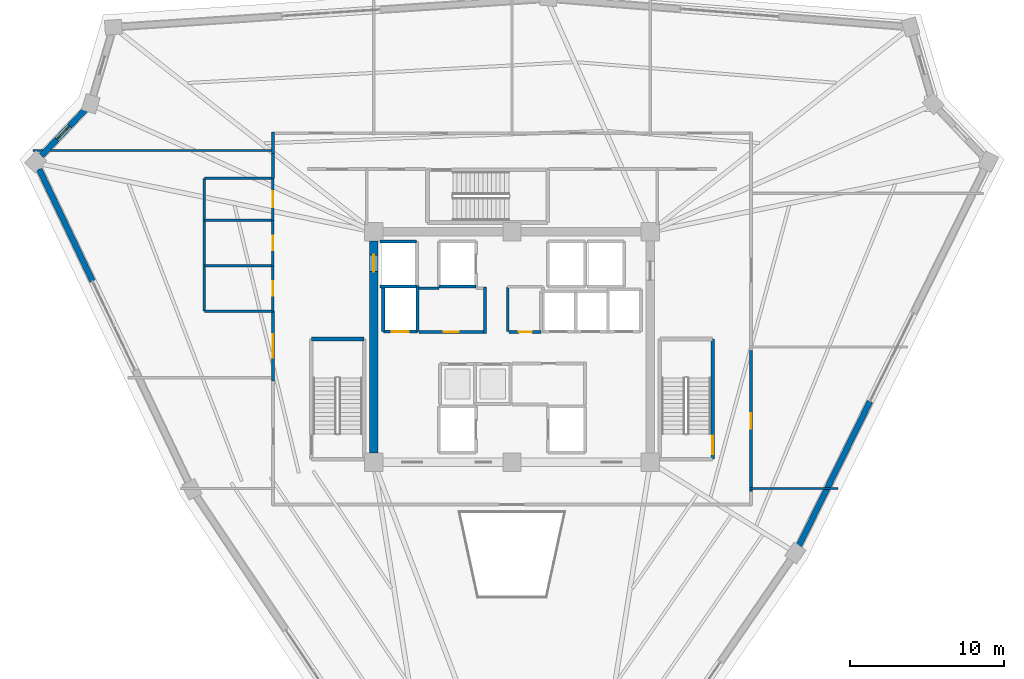
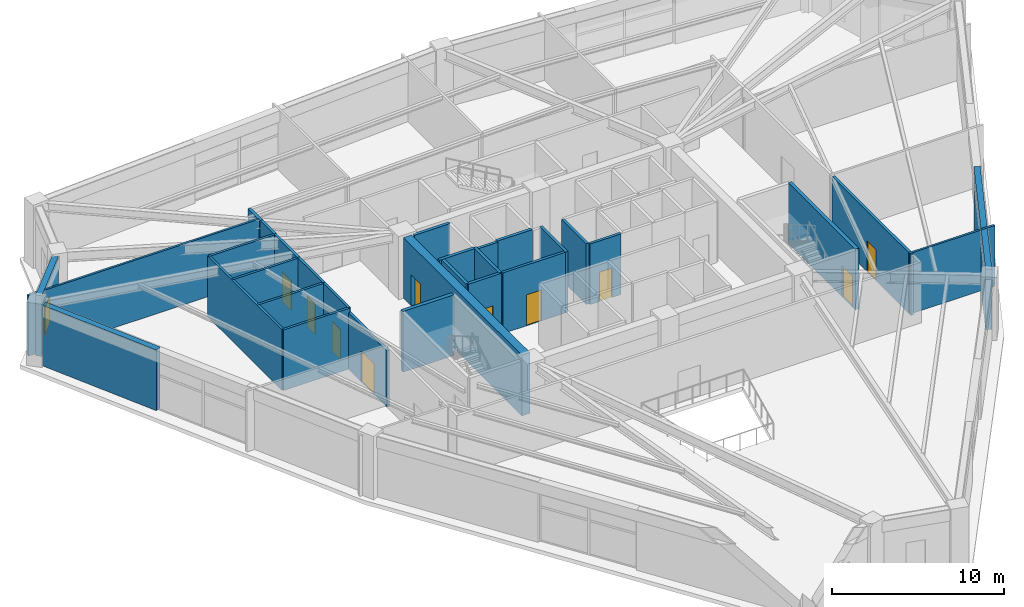
# One storey, part 29 of 35: 31 walls, 10 doors, 1 window, 11 openings.
"""IFC4 building model written with IfcOpenShell, lengths in metres."""

from ifc_helpers import new_model, si_unit, direction, frame, frame_2d, origin, place, context, subcontext, project, spatial, rectangle, extrude, source, transform, mapped, material, layer, layer_set, type_object, element, fill, save


model = new_model("IFC4")

# Units and contexts
model_context = context("Model", 3, precision=1e-05, world=origin(), true_north=direction((0.0, 1.0)))
body_context = subcontext(model_context, "Body", "Model", "MODEL_VIEW")
ifc_project = project(units=[si_unit("LENGTHUNIT", "METRE"), si_unit("AREAUNIT", "SQUARE_METRE"), si_unit("VOLUMEUNIT", "CUBIC_METRE"), si_unit("PLANEANGLEUNIT", "RADIAN"), si_unit("MASSUNIT", "GRAM", prefix="KILO")], contexts=[model_context])

# Site, building, storey
site_placement = place(None, origin())
site = spatial("IfcSite", under=ifc_project, at=site_placement, CompositionType="ELEMENT")
building_placement = place(site_placement, origin())
building = spatial("IfcBuilding", under=site, at=building_placement, Name="Liaohun Quay Tower", CompositionType="ELEMENT")
storey_placement = place(building_placement, frame((0.0, 0.0, 282.0)))
storey = spatial("IfcBuildingStorey", under=building, at=storey_placement, Name="L73", CompositionType="ELEMENT", Elevation=282.0)

# Wall, opening, door
ifc_material_1 = material(Name="Concrete C50", Category="concrete")
ifc_layer_1 = layer(ifc_material_1, 0.550048828125, Name="Concrete C50", Category="concrete")
ifc_layer_set_1 = layer_set([ifc_layer_1], Name="Concrete C50")
wall_type_1 = type_object("IfcWallType", Name="WAL-COR-Z4", PredefinedType="SHEAR", material=ifc_layer_set_1)
wall_1_placement = place(storey_placement, frame((51.0, 47.10009765625, 0.0), z_axis=(0.0, 0.0, 1.0), x_axis=(0.0, 1.0, 0.0)))
wall_1 = element("IfcWall", 1, at=wall_1_placement, inside=storey, type_object=wall_type_1, Name="L73 Central Core Shear Wall W", PredefinedType="SHEAR", context=body_context, shape_type="SweptSolid", body=[
    extrude(rectangle(XDim=13.7998046875, YDim=0.550048828125, at=frame_2d((6.89990234375, 0.0))), origin(), (0.0, 0.0, 1.0), 4.320068359375),
])
shared_shape_1 = source(origin(), body_context, "Body", "SweptSolid", [
    extrude(rectangle(XDim=1.10009765625, YDim=2.199951171875, at=frame_2d((0.550048828125, 1.10009765625))), frame((0.0, 0.284912109375, 0.0), z_axis=(0.0, -1.0, 0.0), x_axis=(1.0, 0.0, 0.0)), (0.0, 0.0, 1.0), 0.570068359375),
])
opening_1_placement = place(wall_1_placement, frame((11.800048828125, 0.0, 0.0)))
opening_1 = element("IfcOpeningElement", 2, at=opening_1_placement, cuts=wall_1, Name="Opening LD1", PredefinedType="OPENING", context=body_context, shape_type="MappedRepresentation", body=[
    mapped(shared_shape_1, transform((0.0, 0.0, 0.0), x_axis=(1.0, 0.0, 0.0), y_axis=(0.0, 1.0, 0.0), z_axis=(0.0, 0.0, 1.0), scale=1.0)),
])
ifc_material_2 = material(Name="Brushed stainless steel landing door", Category="steel")
door_type_1 = type_object("IfcDoorType", Name="DOR-LFT-1100", OperationType="SLIDING_TO_LEFT", PredefinedType="DOOR", material=ifc_material_2)
shared_shape_2 = source(origin(), body_context, "Body", "SweptSolid", [
    extrude(rectangle(XDim=1.10009765625, YDim=2.199951171875, at=frame_2d((0.550048828125, 1.10009765625))), frame((0.0, 0.02490234375, 0.0), z_axis=(0.0, -1.0, 0.0), x_axis=(1.0, 0.0, 0.0)), (0.0, 0.0, 1.0), 0.050048828125),
])
door_1_placement = place(opening_1_placement, origin())
door_1 = element("IfcDoor", 3, at=door_1_placement, inside=storey, type_object=door_type_1, Name="L73 Lift SH-01 Sliding Landing Door", OperationType="SLIDING_TO_LEFT", OverallHeight=2.199951171875, OverallWidth=1.10009765625, PredefinedType="DOOR", context=body_context, shape_type="MappedRepresentation", body=[
    mapped(shared_shape_2, transform((0.0, 0.0, 0.0), x_axis=(1.0, 0.0, 0.0), y_axis=(0.0, 1.0, 0.0), z_axis=(0.0, 0.0, 1.0), scale=1.0)),
])
fill(opening_1, door_1)

# Wall
ifc_material_3 = material(Name="Precast concrete C50 insulated sandwich", Category="concrete")
ifc_layer_2 = layer(ifc_material_3, 0.3798828125, Name="Precast concrete C50 insulated sandwich", Category="concrete")
ifc_layer_set_2 = layer_set([ifc_layer_2], Name="Precast concrete C50 insulated sandwich")
wall_type_2 = type_object("IfcWallType", Name="WAL-EXT-Z34", PredefinedType="SOLIDWALL", material=ifc_layer_set_2)
wall_2_placement = place(storey_placement, frame((78.68408203125, 41.077880859375, 0.0), z_axis=(0.0, 0.0, 1.0), x_axis=(0.442060688072, 0.896985143724, 0.0)))
element("IfcWall", 4, at=wall_2_placement, inside=storey, type_object=wall_type_2, Name="L73 Belvedere Flank Pier Wall 03L", PredefinedType="SOLIDWALL", context=body_context, shape_type="SweptSolid", body=[
    extrude(rectangle(XDim=10.457275390625, YDim=0.3798828125, at=frame_2d((5.228515625, 0.0))), origin(), (0.0, 0.0, 1.0), 4.320068359375),
])

# Wall, opening, window
wall_3_placement = place(storey_placement, frame((32.212890625, 69.43701171875, 0.0), z_axis=(0.0, 0.0, 1.0), x_axis=(-0.689319799557, -0.724457185718, 0.0)))
wall_3 = element("IfcWall", 5, at=wall_3_placement, inside=storey, type_object=wall_type_2, Name="L73 Corner Notch Precast Pier Wall 09", PredefinedType="SOLIDWALL", context=body_context, shape_type="SweptSolid", body=[
    extrude(rectangle(XDim=4.127197265625, YDim=0.3798828125, at=frame_2d((2.0634765625, 0.0))), origin(), (0.0, 0.0, 1.0), 4.320068359375),
])
shared_shape_3 = source(origin(), body_context, "Body", "SweptSolid", [
    extrude(rectangle(XDim=1.199951171875, YDim=1.89990234375, at=frame_2d((0.60009765625, 0.949951171875))), frame((0.0, 0.199951171875, 0.0), z_axis=(0.0, -1.0, 0.0), x_axis=(1.0, 0.0, 0.0)), (0.0, 0.0, 1.0), 0.39990234375),
])
opening_2_placement = place(wall_3_placement, frame((1.464111328125, 0.0, 0.550048828125)))
opening_2 = element("IfcOpeningElement", 6, at=opening_2_placement, cuts=wall_3, Name="Opening W05", PredefinedType="OPENING", context=body_context, shape_type="MappedRepresentation", body=[
    mapped(shared_shape_3, transform((0.0, 0.0, 0.0), x_axis=(1.0, 0.0, 0.0), y_axis=(0.0, 1.0, 0.0), z_axis=(0.0, 0.0, 1.0), scale=1.0)),
])
ifc_material_4 = material(Name="Triple Low-E corner notch glazing", Category="glass")
window_type = type_object("IfcWindowType", Name="WIN-NOTCH", PartitioningType="SINGLE_PANEL", PredefinedType="WINDOW", material=ifc_material_4)
shared_shape_4 = source(origin(), body_context, "Body", "SweptSolid", [
    extrude(rectangle(XDim=1.199951171875, YDim=1.89990234375, at=frame_2d((0.60009765625, 0.949951171875))), frame((0.0, 0.030029296875, 0.0), z_axis=(0.0, -1.0, 0.0), x_axis=(1.0, 0.0, 0.0)), (0.0, 0.0, 1.0), 0.06005859375),
])
window_placement = place(opening_2_placement, origin())
window = element("IfcWindow", 7, at=window_placement, inside=storey, type_object=window_type, Name="L73 Corner Notch Window W05-09", OverallHeight=1.89990234375, OverallWidth=1.199951171875, PartitioningType="SINGLE_PANEL", PredefinedType="WINDOW", context=body_context, shape_type="MappedRepresentation", body=[
    mapped(shared_shape_4, transform((0.0, 0.0, 0.0), x_axis=(1.0, 0.0, 0.0), y_axis=(0.0, 1.0, 0.0), z_axis=(0.0, 0.0, 1.0), scale=1.0)),
])
fill(opening_2, window)

# Wall
wall_4_placement = place(storey_placement, frame((29.22802734375, 65.569091796875, 0.0), z_axis=(0.0, 0.0, 1.0), x_axis=(0.430494504743, -0.902593198172, 0.0)))
element("IfcWall", 8, at=wall_4_placement, inside=storey, type_object=wall_type_2, Name="L73 Belvedere Flank Pier Wall 10L", PredefinedType="SOLIDWALL", context=body_context, shape_type="SweptSolid", body=[
    extrude(rectangle(XDim=8.07470703125, YDim=0.3798828125, at=frame_2d((4.037353515625, 0.0))), origin(), (0.0, 0.0, 1.0), 4.320068359375),
])

# Wall, opening, door
ifc_material_5 = material(Name="Autoclaved aerated concrete blockwork", Category="masonry")
ifc_layer_3 = layer(ifc_material_5, 0.179931640625, Name="Autoclaved aerated concrete blockwork", Category="masonry")
ifc_layer_set_3 = layer_set([ifc_layer_3], Name="Autoclaved aerated concrete blockwork")
wall_type_3 = type_object("IfcWallType", Name="WAL-PRT-COR", PredefinedType="PARTITIONING", material=ifc_layer_set_3)
wall_5_placement = place(storey_placement, frame((53.949951171875, 54.97998046875, 0.0), z_axis=(0.0, 0.0, 1.0), x_axis=(1.0, 0.0, 0.0)))
wall_5 = element("IfcWall", 9, at=wall_5_placement, inside=storey, type_object=wall_type_3, Name="L73 Interior Partition Wall 001", PredefinedType="PARTITIONING", context=body_context, shape_type="SweptSolid", body=[
    extrude(rectangle(XDim=4.2099609375, YDim=0.179931640625, at=frame_2d((2.10498046875, 0.0))), origin(), (0.0, 0.0, 1.0), 4.320068359375),
])
shared_shape_5 = source(origin(), body_context, "Body", "SweptSolid", [
    extrude(rectangle(XDim=1.0, YDim=2.199951171875, at=frame_2d((0.5, 1.10009765625))), frame((0.0, 0.099853515625, 0.0), z_axis=(0.0, -1.0, 0.0), x_axis=(1.0, 0.0, 0.0)), (0.0, 0.0, 1.0), 0.199951171875),
])
opening_3_placement = place(wall_5_placement, frame((1.60009765625, 0.0, 0.0)))
opening_3 = element("IfcOpeningElement", 10, at=opening_3_placement, cuts=wall_5, Name="Opening OD1", PredefinedType="OPENING", context=body_context, shape_type="MappedRepresentation", body=[
    mapped(shared_shape_5, transform((0.0, 0.0, 0.0), x_axis=(1.0, 0.0, 0.0), y_axis=(0.0, 1.0, 0.0), z_axis=(0.0, 0.0, 1.0), scale=1.0)),
])
ifc_material_6 = material(Name="Solid-core oak veneer timber leaf in steel frame", Category="steel")
door_type_2 = type_object("IfcDoorType", Name="DOR-OFF-1000", OperationType="NOTDEFINED", PredefinedType="DOOR", material=ifc_material_6)
shared_shape_6 = source(origin(), body_context, "Body", "SweptSolid", [
    extrude(rectangle(XDim=1.0, YDim=2.199951171875, at=frame_2d((0.5, 1.10009765625))), frame((0.0, 0.02490234375, 0.0), z_axis=(0.0, -1.0, 0.0), x_axis=(1.0, 0.0, 0.0)), (0.0, 0.0, 1.0), 0.050048828125),
])
door_2_placement = place(opening_3_placement, origin())
door_2 = element("IfcDoor", 11, at=door_2_placement, inside=storey, type_object=door_type_2, Name="L73 Core Staff Pantry and Tea Room Door", OperationType="SINGLE_SWING_LEFT", OverallHeight=2.199951171875, OverallWidth=1.0, PredefinedType="DOOR", context=body_context, shape_type="MappedRepresentation", body=[
    mapped(shared_shape_6, transform((0.0, 0.0, 0.0), x_axis=(1.0, 0.0, 0.0), y_axis=(0.0, 1.0, 0.0), z_axis=(0.0, 0.0, 1.0), scale=1.0)),
])
fill(opening_3, door_2)

wall_6_placement = place(storey_placement, frame((59.81005859375, 54.97998046875, 0.0), z_axis=(0.0, 0.0, 1.0), x_axis=(1.0, 0.0, 0.0)))
wall_6 = element("IfcWall", 12, at=wall_6_placement, inside=storey, type_object=wall_type_3, Name="L73 Interior Partition Wall 003", PredefinedType="PARTITIONING", context=body_context, shape_type="SweptSolid", body=[
    extrude(rectangle(XDim=2.08984375, YDim=0.179931640625, at=frame_2d((1.044921875, 0.0))), origin(), (0.0, 0.0, 1.0), 4.320068359375),
])
shared_shape_7 = source(origin(), body_context, "Body", "SweptSolid", [
    extrude(rectangle(XDim=0.85009765625, YDim=2.10009765625, at=frame_2d((0.425048828125, 1.050048828125))), frame((0.0, 0.099853515625, 0.0), z_axis=(0.0, -1.0, 0.0), x_axis=(1.0, 0.0, 0.0)), (0.0, 0.0, 1.0), 0.199951171875),
])
opening_4_placement = place(wall_6_placement, frame((0.635009765625, 0.0, 0.0)))
opening_4 = element("IfcOpeningElement", 13, at=opening_4_placement, cuts=wall_6, Name="Opening AD1", PredefinedType="OPENING", context=body_context, shape_type="MappedRepresentation", body=[
    mapped(shared_shape_7, transform((0.0, 0.0, 0.0), x_axis=(1.0, 0.0, 0.0), y_axis=(0.0, 1.0, 0.0), z_axis=(0.0, 0.0, 1.0), scale=1.0)),
])
ifc_material_7 = material(Name="Steel riser inspection fire door", Category="steel")
door_type_3 = type_object("IfcDoorType", Name="DOR-SHF-850", OperationType="NOTDEFINED", PredefinedType="DOOR", material=ifc_material_7)
shared_shape_8 = source(origin(), body_context, "Body", "SweptSolid", [
    extrude(rectangle(XDim=0.85009765625, YDim=2.10009765625, at=frame_2d((0.425048828125, 1.050048828125))), frame((0.0, 0.02490234375, 0.0), z_axis=(0.0, -1.0, 0.0), x_axis=(1.0, 0.0, 0.0)), (0.0, 0.0, 1.0), 0.050048828125),
])
door_3_placement = place(opening_4_placement, origin())
door_3 = element("IfcDoor", 14, at=door_3_placement, inside=storey, type_object=door_type_3, Name="L73 Core Electrical and Telecom Riser Room Door", OperationType="SINGLE_SWING_LEFT", OverallHeight=2.10009765625, OverallWidth=0.85009765625, PredefinedType="DOOR", context=body_context, shape_type="MappedRepresentation", body=[
    mapped(shared_shape_8, transform((0.0, 0.0, 0.0), x_axis=(1.0, 0.0, 0.0), y_axis=(0.0, 1.0, 0.0), z_axis=(0.0, 0.0, 1.0), scale=1.0)),
])
fill(opening_4, door_3)

wall_7_placement = place(storey_placement, frame((44.43994140625, 51.784912109375, 0.0), z_axis=(0.0, 0.0, 1.0), x_axis=(0.0, 1.0, 0.0)))
wall_7 = element("IfcWall", 15, at=wall_7_placement, inside=storey, type_object=wall_type_3, Name="L73 Interior Partition Wall 016", PredefinedType="PARTITIONING", context=body_context, shape_type="SweptSolid", body=[
    extrude(rectangle(XDim=4.55517578125, YDim=0.179931640625, at=frame_2d((2.277587890625, 0.0))), origin(), (0.0, 0.0, 1.0), 4.010986328125),
])
shared_shape_9 = source(origin(), body_context, "Body", "SweptSolid", [
    extrude(rectangle(XDim=1.5, YDim=2.199951171875, at=frame_2d((0.75, 1.10009765625))), frame((0.0, 0.099853515625, 0.0), z_axis=(0.0, -1.0, 0.0), x_axis=(1.0, 0.0, 0.0)), (0.0, 0.0, 1.0), 0.199951171875),
])
opening_5_placement = place(wall_7_placement, frame((1.528076171875, 0.0, 0.0)))
opening_5 = element("IfcOpeningElement", 16, at=opening_5_placement, cuts=wall_7, Name="Opening OD2", PredefinedType="OPENING", context=body_context, shape_type="MappedRepresentation", body=[
    mapped(shared_shape_9, transform((0.0, 0.0, 0.0), x_axis=(1.0, 0.0, 0.0), y_axis=(0.0, 1.0, 0.0), z_axis=(0.0, 0.0, 1.0), scale=1.0)),
])
ifc_material_8 = material(Name="Acoustic oak veneer double door")
door_type_4 = type_object("IfcDoorType", Name="DOR-OFF-1500", OperationType="DOUBLE_DOOR_SINGLE_SWING", PredefinedType="DOOR", material=ifc_material_8)
shared_shape_10 = source(origin(), body_context, "Body", "SweptSolid", [
    extrude(rectangle(XDim=1.5, YDim=2.199951171875, at=frame_2d((0.75, 1.10009765625))), frame((0.0, 0.02490234375, 0.0), z_axis=(0.0, -1.0, 0.0), x_axis=(1.0, 0.0, 0.0)), (0.0, 0.0, 1.0), 0.050048828125),
])
door_4_placement = place(opening_5_placement, origin())
door_4 = element("IfcDoor", 17, at=door_4_placement, inside=storey, type_object=door_type_4, Name="L73 VIP Reception Office 06 Door", OperationType="DOUBLE_DOOR_SINGLE_SWING", OverallHeight=2.199951171875, OverallWidth=1.5, PredefinedType="DOOR", context=body_context, shape_type="MappedRepresentation", body=[
    mapped(shared_shape_10, transform((0.0, 0.0, 0.0), x_axis=(1.0, 0.0, 0.0), y_axis=(0.0, 1.0, 0.0), z_axis=(0.0, 0.0, 1.0), scale=1.0)),
])
fill(opening_5, door_4)

wall_8_placement = place(storey_placement, frame((75.56005859375, 53.784912109375, 0.0), z_axis=(0.0, 0.0, 1.0), x_axis=(0.0, -1.0, 0.0)))
wall_8 = element("IfcWall", 18, at=wall_8_placement, inside=storey, type_object=wall_type_3, Name="L73 Interior Partition Wall 019", PredefinedType="PARTITIONING", context=body_context, shape_type="SweptSolid", body=[
    extrude(rectangle(XDim=9.199951171875, YDim=0.179931640625, at=frame_2d((4.60009765625, 0.0))), origin(), (0.0, 0.0, 1.0), 4.320068359375),
])
opening_6_placement = place(wall_8_placement, frame((4.10009765625, 0.0, 0.0)))
opening_6 = element("IfcOpeningElement", 19, at=opening_6_placement, cuts=wall_8, Name="Opening OD1", PredefinedType="OPENING", context=body_context, shape_type="MappedRepresentation", body=[
    mapped(shared_shape_5, transform((0.0, 0.0, 0.0), x_axis=(1.0, 0.0, 0.0), y_axis=(0.0, 1.0, 0.0), z_axis=(0.0, 0.0, 1.0), scale=1.0)),
])
door_5_placement = place(opening_6_placement, origin())
door_5 = element("IfcDoor", 20, at=door_5_placement, inside=storey, type_object=door_type_2, Name="L73 Sky Club Reading Library 09 Door", OperationType="SINGLE_SWING_LEFT", OverallHeight=2.199951171875, OverallWidth=1.0, PredefinedType="DOOR", context=body_context, shape_type="MappedRepresentation", body=[
    mapped(shared_shape_6, transform((0.0, 0.0, 0.0), x_axis=(1.0, 0.0, 0.0), y_axis=(0.0, 1.0, 0.0), z_axis=(0.0, 0.0, 1.0), scale=1.0)),
])
fill(opening_6, door_5)

# Walls
wall_9_placement = place(storey_placement, frame((59.719970703125, 55.02001953125, 0.0), z_axis=(0.0, 0.0, 1.0), x_axis=(0.0, 1.0, 0.0)))
element("IfcWall", 21, at=wall_9_placement, inside=storey, type_object=wall_type_3, Name="L73 Interior Partition Wall 020", PredefinedType="PARTITIONING", context=body_context, shape_type="SweptSolid", body=[
    extrude(rectangle(XDim=2.8798828125, YDim=0.179931640625, at=frame_2d((1.43994140625, 0.0))), origin(), (0.0, 0.0, 1.0), 4.320068359375),
])
wall_10_placement = place(storey_placement, frame((44.43994140625, 66.5849609375, 0.0), z_axis=(0.0, 0.0, 1.0), x_axis=(0.0, 1.0, 0.0)))
element("IfcWall", 22, at=wall_10_placement, inside=storey, type_object=wall_type_3, Name="L73 Interior Partition Wall 031", PredefinedType="PARTITIONING", context=body_context, shape_type="SweptSolid", body=[
    extrude(rectangle(XDim=1.39501953125, YDim=0.179931640625, at=frame_2d((0.697509765625, 0.0))), origin(), (0.0, 0.0, 1.0), 4.320068359375),
])
wall_11_placement = place(storey_placement, frame((44.43994140625, 64.97998046875, 0.0), z_axis=(0.0, 0.0, 1.0), x_axis=(0.0, 1.0, 0.0)))
element("IfcWall", 23, at=wall_11_placement, inside=storey, type_object=wall_type_3, Name="L73 Interior Partition Wall 032", PredefinedType="PARTITIONING", context=body_context, shape_type="SweptSolid", body=[
    extrude(rectangle(XDim=1.60498046875, YDim=0.179931640625, at=frame_2d((0.802490234375, 0.0))), origin(), (0.0, 0.0, 1.0), 4.320068359375),
])
wall_12_placement = place(storey_placement, frame((58.25, 54.889892578125, 0.0), z_axis=(0.0, 0.0, 1.0), x_axis=(0.0, 1.0, 0.0)))
element("IfcWall", 24, at=wall_12_placement, inside=storey, type_object=wall_type_3, Name="L73 Interior Partition Wall 044", PredefinedType="PARTITIONING", context=body_context, shape_type="SweptSolid", body=[
    extrude(rectangle(XDim=3.02001953125, YDim=0.179931640625, at=frame_2d((1.510009765625, 0.0))), origin(), (0.0, 0.0, 1.0), 4.320068359375),
])
wall_13_placement = place(storey_placement, frame((53.949951171875, 57.820068359375, 0.0), z_axis=(0.0, 0.0, 1.0), x_axis=(1.0, 0.0, 0.0)))
element("IfcWall", 25, at=wall_13_placement, inside=storey, type_object=wall_type_3, Name="L73 Interior Partition Wall 045", PredefinedType="PARTITIONING", context=body_context, shape_type="SweptSolid", body=[
    extrude(rectangle(XDim=1.300048828125, YDim=0.179931640625, at=frame_2d((0.64990234375, 0.0))), origin(), (0.0, 0.0, 1.0), 4.320068359375),
])
ifc_material_9 = material(Name="Gypsum board on twin steel studs", Category="steel")
ifc_layer_4 = layer(ifc_material_9, 0.139892578125, Name="Gypsum board on twin steel studs", Category="steel")
ifc_layer_set_4 = layer_set([ifc_layer_4], Name="Gypsum board on twin steel studs")
wall_type_4 = type_object("IfcWallType", Name="WAL-PRT-OFF", PredefinedType="PARTITIONING", material=ifc_layer_set_4)
wall_14_placement = place(storey_placement, frame((44.5400390625, 66.800048828125, 0.0), z_axis=(0.0, 0.0, 1.0), x_axis=(-1.0, 0.0, 0.0)))
element("IfcWall", 26, at=wall_14_placement, inside=storey, type_object=wall_type_4, Name="L73 Interior Partition Wall 037", PredefinedType="PARTITIONING", context=body_context, shape_type="SweptSolid", body=[
    extrude(rectangle(XDim=15.7060546875, YDim=0.139892578125, at=frame_2d((7.85302734375, 0.0))), origin(), (0.0, 0.0, 1.0), 4.320068359375),
])
wall_15_placement = place(storey_placement, frame((75.4599609375, 44.800048828125, 0.0), z_axis=(0.0, 0.0, 1.0), x_axis=(1.0, 0.0, 0.0)))
element("IfcWall", 27, at=wall_15_placement, inside=storey, type_object=wall_type_4, Name="L73 Interior Partition Wall 038", PredefinedType="PARTITIONING", context=body_context, shape_type="SweptSolid", body=[
    extrude(rectangle(XDim=5.760009765625, YDim=0.139892578125, at=frame_2d((2.8798828125, 0.0))), origin(), (0.0, 0.0, 1.0), 4.320068359375),
])

# Wall, opening, door
ifc_material_10 = material(Name="Moisture-resistant masonry blockwork", Category="masonry")
ifc_layer_5 = layer(ifc_material_10, 0.159912109375, Name="Moisture-resistant masonry blockwork", Category="masonry")
ifc_layer_set_5 = layer_set([ifc_layer_5], Name="Moisture-resistant masonry blockwork")
wall_type_5 = type_object("IfcWallType", Name="WAL-PRT-WET", PredefinedType="PARTITIONING", material=ifc_layer_set_5)
wall_16_placement = place(storey_placement, frame((44.43994140625, 56.340087890625, 0.0), z_axis=(0.0, 0.0, 1.0), x_axis=(0.0, 1.0, 0.0)))
wall_16 = element("IfcWall", 28, at=wall_16_placement, inside=storey, type_object=wall_type_5, Name="L73 Interior Partition Wall 004", PredefinedType="PARTITIONING", context=body_context, shape_type="SweptSolid", body=[
    extrude(rectangle(XDim=2.93994140625, YDim=0.159912109375, at=frame_2d((1.469970703125, 0.0))), origin(), (0.0, 0.0, 1.0), 4.320068359375),
])
shared_shape_11 = source(origin(), body_context, "Body", "SweptSolid", [
    extrude(rectangle(XDim=0.949951171875, YDim=2.14990234375, at=frame_2d((0.47509765625, 1.074951171875))), frame((0.0, 0.08984375, 0.0), z_axis=(0.0, -1.0, 0.0), x_axis=(1.0, 0.0, 0.0)), (0.0, 0.0, 1.0), 0.179931640625),
])
opening_7_placement = place(wall_16_placement, frame((0.9951171875, 0.0, 0.0)))
opening_7 = element("IfcOpeningElement", 29, at=opening_7_placement, cuts=wall_16, Name="Opening WD1", PredefinedType="OPENING", context=body_context, shape_type="MappedRepresentation", body=[
    mapped(shared_shape_11, transform((0.0, 0.0, 0.0), x_axis=(1.0, 0.0, 0.0), y_axis=(0.0, 1.0, 0.0), z_axis=(0.0, 0.0, 1.0), scale=1.0)),
])
ifc_material_11 = material(Name="Moisture-resistant laminate timber leaf", Category="wood")
door_type_5 = type_object("IfcDoorType", Name="DOR-WC-950", OperationType="NOTDEFINED", PredefinedType="DOOR", material=ifc_material_11)
shared_shape_12 = source(origin(), body_context, "Body", "SweptSolid", [
    extrude(rectangle(XDim=0.949951171875, YDim=2.14990234375, at=frame_2d((0.47509765625, 1.074951171875))), frame((0.0, 0.02490234375, 0.0), z_axis=(0.0, -1.0, 0.0), x_axis=(1.0, 0.0, 0.0)), (0.0, 0.0, 1.0), 0.050048828125),
])
door_6_placement = place(opening_7_placement, origin())
door_6 = element("IfcDoor", 30, at=door_6_placement, inside=storey, type_object=door_type_5, Name="L73 Male Restroom WC Door", OperationType="SINGLE_SWING_RIGHT", OverallHeight=2.14990234375, OverallWidth=0.949951171875, PredefinedType="DOOR", context=body_context, shape_type="MappedRepresentation", body=[
    mapped(shared_shape_12, transform((0.0, 0.0, 0.0), x_axis=(1.0, 0.0, 0.0), y_axis=(0.0, 1.0, 0.0), z_axis=(0.0, 0.0, 1.0), scale=1.0)),
])
fill(opening_7, door_6)

wall_17_placement = place(storey_placement, frame((44.43994140625, 59.280029296875, 0.0), z_axis=(0.0, 0.0, 1.0), x_axis=(0.0, 1.0, 0.0)))
wall_17 = element("IfcWall", 31, at=wall_17_placement, inside=storey, type_object=wall_type_5, Name="L73 Interior Partition Wall 005", PredefinedType="PARTITIONING", context=body_context, shape_type="SweptSolid", body=[
    extrude(rectangle(XDim=2.9599609375, YDim=0.159912109375, at=frame_2d((1.47998046875, 0.0))), origin(), (0.0, 0.0, 1.0), 4.320068359375),
])
opening_8_placement = place(wall_17_placement, frame((1.0048828125, 0.0, 0.0)))
opening_8 = element("IfcOpeningElement", 32, at=opening_8_placement, cuts=wall_17, Name="Opening WD1", PredefinedType="OPENING", context=body_context, shape_type="MappedRepresentation", body=[
    mapped(shared_shape_11, transform((0.0, 0.0, 0.0), x_axis=(1.0, 0.0, 0.0), y_axis=(0.0, 1.0, 0.0), z_axis=(0.0, 0.0, 1.0), scale=1.0)),
])
door_7_placement = place(opening_8_placement, origin())
door_7 = element("IfcDoor", 33, at=door_7_placement, inside=storey, type_object=door_type_5, Name="L73 Female Restroom WC Door", OperationType="SINGLE_SWING_LEFT", OverallHeight=2.14990234375, OverallWidth=0.949951171875, PredefinedType="DOOR", context=body_context, shape_type="MappedRepresentation", body=[
    mapped(shared_shape_12, transform((0.0, 0.0, 0.0), x_axis=(1.0, 0.0, 0.0), y_axis=(0.0, 1.0, 0.0), z_axis=(0.0, 0.0, 1.0), scale=1.0)),
])
fill(opening_8, door_7)

wall_18_placement = place(storey_placement, frame((44.43994140625, 62.239990234375, 0.0), z_axis=(0.0, 0.0, 1.0), x_axis=(0.0, 1.0, 0.0)))
wall_18 = element("IfcWall", 34, at=wall_18_placement, inside=storey, type_object=wall_type_5, Name="L73 Interior Partition Wall 006", PredefinedType="PARTITIONING", context=body_context, shape_type="SweptSolid", body=[
    extrude(rectangle(XDim=2.739990234375, YDim=0.159912109375, at=frame_2d((1.3701171875, 0.0))), origin(), (0.0, 0.0, 1.0), 4.320068359375),
])
shared_shape_13 = source(origin(), body_context, "Body", "SweptSolid", [
    extrude(rectangle(XDim=1.050048828125, YDim=2.14990234375, at=frame_2d((0.52490234375, 1.074951171875))), frame((0.0, 0.08984375, 0.0), z_axis=(0.0, -1.0, 0.0), x_axis=(1.0, 0.0, 0.0)), (0.0, 0.0, 1.0), 0.179931640625),
])
opening_9_placement = place(wall_18_placement, frame((0.844970703125, 0.0, 0.0)))
opening_9 = element("IfcOpeningElement", 35, at=opening_9_placement, cuts=wall_18, Name="Opening WD2", PredefinedType="OPENING", context=body_context, shape_type="MappedRepresentation", body=[
    mapped(shared_shape_13, transform((0.0, 0.0, 0.0), x_axis=(1.0, 0.0, 0.0), y_axis=(0.0, 1.0, 0.0), z_axis=(0.0, 0.0, 1.0), scale=1.0)),
])
ifc_material_12 = material(Name="Accessible outward-swinging laminate door")
door_type_6 = type_object("IfcDoorType", Name="DOR-AWC-1050", OperationType="NOTDEFINED", PredefinedType="DOOR", material=ifc_material_12)
shared_shape_14 = source(origin(), body_context, "Body", "SweptSolid", [
    extrude(rectangle(XDim=1.050048828125, YDim=2.14990234375, at=frame_2d((0.52490234375, 1.074951171875))), frame((0.0, 0.02490234375, 0.0), z_axis=(0.0, -1.0, 0.0), x_axis=(1.0, 0.0, 0.0)), (0.0, 0.0, 1.0), 0.050048828125),
])
door_8_placement = place(opening_9_placement, origin())
door_8 = element("IfcDoor", 36, at=door_8_placement, inside=storey, type_object=door_type_6, Name="L73 Accessible WC Door", OperationType="SINGLE_SWING_RIGHT", OverallHeight=2.14990234375, OverallWidth=1.050048828125, PredefinedType="DOOR", context=body_context, shape_type="MappedRepresentation", body=[
    mapped(shared_shape_14, transform((0.0, 0.0, 0.0), x_axis=(1.0, 0.0, 0.0), y_axis=(0.0, 1.0, 0.0), z_axis=(0.0, 0.0, 1.0), scale=1.0)),
])
fill(opening_9, door_8)

# Walls
wall_19_placement = place(storey_placement, frame((39.97998046875, 56.340087890625, 0.0), z_axis=(0.0, 0.0, 1.0), x_axis=(0.0, 1.0, 0.0)))
element("IfcWall", 37, at=wall_19_placement, inside=storey, type_object=wall_type_5, Name="L73 Interior Partition Wall 023", PredefinedType="PARTITIONING", context=body_context, shape_type="SweptSolid", body=[
    extrude(rectangle(XDim=8.639892578125, YDim=0.159912109375, at=frame_2d((4.31982421875, 0.0))), origin(), (0.0, 0.0, 1.0), 4.320068359375),
])
for number, where, z_axis, x_axis, name in (
    (38, (39.97998046875, 56.340087890625, 0.0), (0.0, 0.0, 1.0), (1.0, 0.0, 0.0), "L73 Interior Partition Wall 024"),
    (39, (39.97998046875, 59.280029296875, 0.0), (0.0, 0.0, 1.0), (1.0, 0.0, 0.0), "L73 Interior Partition Wall 025"),
    (40, (39.97998046875, 62.239990234375, 0.0), (0.0, 0.0, 1.0), (1.0, 0.0, 0.0), "L73 Interior Partition Wall 026"),
    (41, (39.97998046875, 64.97998046875, 0.0), (0.0, 0.0, 1.0), (1.0, 0.0, 0.0), "L73 Interior Partition Wall 027"),
):
    element("IfcWall", number, at=place(storey_placement, frame(where, z_axis=z_axis, x_axis=x_axis)), inside=storey, type_object=wall_type_5, Name=name, PredefinedType="PARTITIONING", context=body_context, shape_type="SweptSolid", body=[
        extrude(rectangle(XDim=4.4599609375, YDim=0.159912109375, at=frame_2d((2.22998046875, 0.0))), origin(), (0.0, 0.0, 1.0), 4.320068359375),
    ])
ifc_layer_6 = layer(ifc_material_1, 0.239990234375, Name="Concrete C50", Category="concrete")
ifc_layer_set_6 = layer_set([ifc_layer_6], Name="Concrete C50")
wall_type_6 = type_object("IfcWallType", Name="WAL-SHF-200", PredefinedType="SOLIDWALL", material=ifc_layer_set_6)
wall_20_placement = place(storey_placement, frame((50.3798828125, 54.52001953125, 0.0), z_axis=(0.0, 0.0, 1.0), x_axis=(-1.0, 0.0, 0.0)))
element("IfcWall", 42, at=wall_20_placement, inside=storey, type_object=wall_type_6, Name="L73 Stairwell ST-1 Structural Core Wall N", PredefinedType="SOLIDWALL", context=body_context, shape_type="SweptSolid", body=[
    extrude(rectangle(XDim=3.43994140625, YDim=0.239990234375, at=frame_2d((1.719970703125, 0.0))), origin(), (0.0, 0.0, 1.0), 4.320068359375),
])

# Wall, opening, door
wall_21_placement = place(storey_placement, frame((73.06005859375, 46.699951171875, 0.0), z_axis=(0.0, 0.0, 1.0), x_axis=(0.0, 1.0, 0.0)))
wall_21 = element("IfcWall", 43, at=wall_21_placement, inside=storey, type_object=wall_type_6, Name="L73 Stairwell ST-2 Structural Core Wall E", PredefinedType="SOLIDWALL", context=body_context, shape_type="SweptSolid", body=[
    extrude(rectangle(XDim=7.820068359375, YDim=0.239990234375, at=frame_2d((3.91015625, 0.0))), origin(), (0.0, 0.0, 1.0), 4.320068359375),
])
shared_shape_15 = source(origin(), body_context, "Body", "SweptSolid", [
    extrude(rectangle(XDim=1.199951171875, YDim=2.199951171875, at=frame_2d((0.60009765625, 1.10009765625))), frame((0.0, 0.1298828125, 0.0), z_axis=(0.0, -1.0, 0.0), x_axis=(1.0, 0.0, 0.0)), (0.0, 0.0, 1.0), 0.260009765625),
])
opening_10_placement = place(wall_21_placement, frame((0.320068359375, 0.0, 0.0)))
opening_10 = element("IfcOpeningElement", 44, at=opening_10_placement, cuts=wall_21, Name="Opening SD1", PredefinedType="OPENING", context=body_context, shape_type="MappedRepresentation", body=[
    mapped(shared_shape_15, transform((0.0, 0.0, 0.0), x_axis=(1.0, 0.0, 0.0), y_axis=(0.0, 1.0, 0.0), z_axis=(0.0, 0.0, 1.0), scale=1.0)),
])
ifc_material_13 = material(Name="Galvanised steel fire door", Category="steel")
door_type_7 = type_object("IfcDoorType", Name="DOR-STR-1200", OperationType="NOTDEFINED", PredefinedType="DOOR", material=ifc_material_13)
shared_shape_16 = source(origin(), body_context, "Body", "SweptSolid", [
    extrude(rectangle(XDim=1.199951171875, YDim=2.199951171875, at=frame_2d((0.60009765625, 1.10009765625))), frame((0.0, 0.02490234375, 0.0), z_axis=(0.0, -1.0, 0.0), x_axis=(1.0, 0.0, 0.0)), (0.0, 0.0, 1.0), 0.050048828125),
])
door_9_placement = place(opening_10_placement, origin())
door_9 = element("IfcDoor", 45, at=door_9_placement, inside=storey, type_object=door_type_7, Name="L73 Protected Stair ST-2 Fire Door", OperationType="SINGLE_SWING_RIGHT", OverallHeight=2.199951171875, OverallWidth=1.199951171875, PredefinedType="DOOR", context=body_context, shape_type="MappedRepresentation", body=[
    mapped(shared_shape_16, transform((0.0, 0.0, 0.0), x_axis=(1.0, 0.0, 0.0), y_axis=(0.0, 1.0, 0.0), z_axis=(0.0, 0.0, 1.0), scale=1.0)),
])
fill(opening_10, door_9)

# Walls
wall_22_placement = place(storey_placement, frame((55.25, 57.949951171875, 0.0), z_axis=(0.0, 0.0, 1.0), x_axis=(1.0, 0.0, 0.0)))
element("IfcWall", 46, at=wall_22_placement, inside=storey, type_object=wall_type_6, Name="L73 Lift FF-03 Hoistway Wall S", PredefinedType="SOLIDWALL", context=body_context, shape_type="SweptSolid", body=[
    extrude(rectangle(XDim=2.39990234375, YDim=0.199951171875, at=frame_2d((1.199951171875, 0.0))), origin(), (0.0, 0.0, 1.0), 4.320068359375),
])
for number, where, z_axis, x_axis, name in (
    (47, (51.39990234375, 57.949951171875, 0.0), (0.0, 0.0, 1.0), (1.0, 0.0, 0.0), "L73 Lift SH-01 Hoistway Wall S"),
    (48, (53.800048828125, 60.8798828125, 0.0), (0.0, 0.0, 1.0), (-1.0, 0.0, 0.0), "L73 Lift SH-01 Hoistway Wall N"),
):
    element("IfcWall", number, at=place(storey_placement, frame(where, z_axis=z_axis, x_axis=x_axis)), inside=storey, type_object=wall_type_6, Name=name, PredefinedType="SOLIDWALL", context=body_context, shape_type="SweptSolid", body=[
        extrude(rectangle(XDim=2.400146484375, YDim=0.199951171875, at=frame_2d((1.2001953125, 0.0))), origin(), (0.0, 0.0, 1.0), 4.320068359375),
    ])

# Wall, opening, door
wall_23_placement = place(storey_placement, frame((51.6201171875, 55.0, 0.0), z_axis=(0.0, 0.0, 1.0), x_axis=(1.0, 0.0, 0.0)))
wall_23 = element("IfcWall", 49, at=wall_23_placement, inside=storey, type_object=wall_type_6, Name="L73 Lift SH-02 Hoistway Wall S", PredefinedType="SOLIDWALL", context=body_context, shape_type="SweptSolid", body=[
    extrude(rectangle(XDim=2.22998046875, YDim=0.199951171875, at=frame_2d((1.114990234375, 0.0))), origin(), (0.0, 0.0, 1.0), 4.320068359375),
])
shared_shape_17 = source(origin(), body_context, "Body", "SweptSolid", [
    extrude(rectangle(XDim=1.10009765625, YDim=2.199951171875, at=frame_2d((0.550048828125, 1.10009765625))), frame((0.0, 0.10986328125, 0.0), z_axis=(0.0, -1.0, 0.0), x_axis=(1.0, 0.0, 0.0)), (0.0, 0.0, 1.0), 0.219970703125),
])
opening_11_placement = place(wall_23_placement, frame((0.56494140625, 0.0, 0.0)))
opening_11 = element("IfcOpeningElement", 50, at=opening_11_placement, cuts=wall_23, Name="Opening LD1", PredefinedType="OPENING", context=body_context, shape_type="MappedRepresentation", body=[
    mapped(shared_shape_17, transform((0.0, 0.0, 0.0), x_axis=(1.0, 0.0, 0.0), y_axis=(0.0, 1.0, 0.0), z_axis=(0.0, 0.0, 1.0), scale=1.0)),
])
door_10_placement = place(opening_11_placement, origin())
door_10 = element("IfcDoor", 51, at=door_10_placement, inside=storey, type_object=door_type_1, Name="L73 Lift SH-02 Sliding Landing Door", OperationType="SLIDING_TO_LEFT", OverallHeight=2.199951171875, OverallWidth=1.10009765625, PredefinedType="DOOR", context=body_context, shape_type="MappedRepresentation", body=[
    mapped(shared_shape_2, transform((0.0, 0.0, 0.0), x_axis=(1.0, 0.0, 0.0), y_axis=(0.0, 1.0, 0.0), z_axis=(0.0, 0.0, 1.0), scale=1.0)),
])
fill(opening_11, door_10)

# Walls
for number, where, z_axis, x_axis, name in (
    (52, (53.85009765625, 55.0, 0.0), (0.0, 0.0, 1.0), (0.0, 1.0, 0.0), "L73 Lift SH-02 Hoistway Wall E"),
    (53, (51.6201171875, 58.0, 0.0), (0.0, 0.0, 1.0), (0.0, -1.0, 0.0), "L73 Lift SH-02 Hoistway Wall W"),
):
    element("IfcWall", number, at=place(storey_placement, frame(where, z_axis=z_axis, x_axis=x_axis)), inside=storey, type_object=wall_type_6, Name=name, PredefinedType="SOLIDWALL", context=body_context, shape_type="SweptSolid", body=[
        extrude(rectangle(XDim=3.0, YDim=0.199951171875, at=frame_2d((1.5, 0.0))), origin(), (0.0, 0.0, 1.0), 4.320068359375),
    ])

save(model, "model.ifc")
